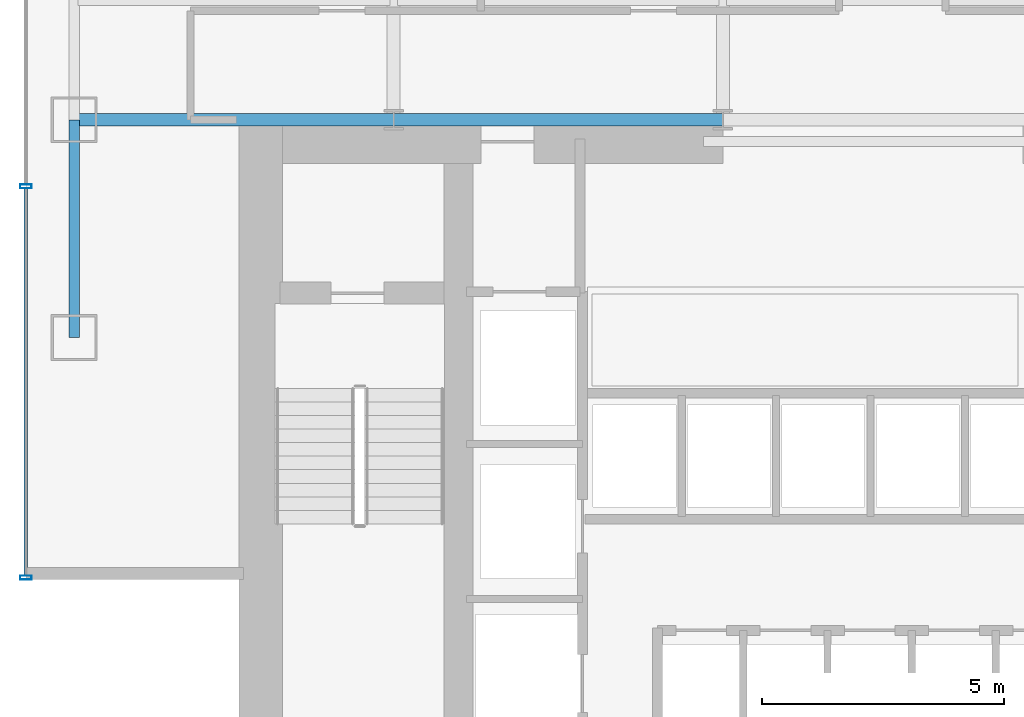
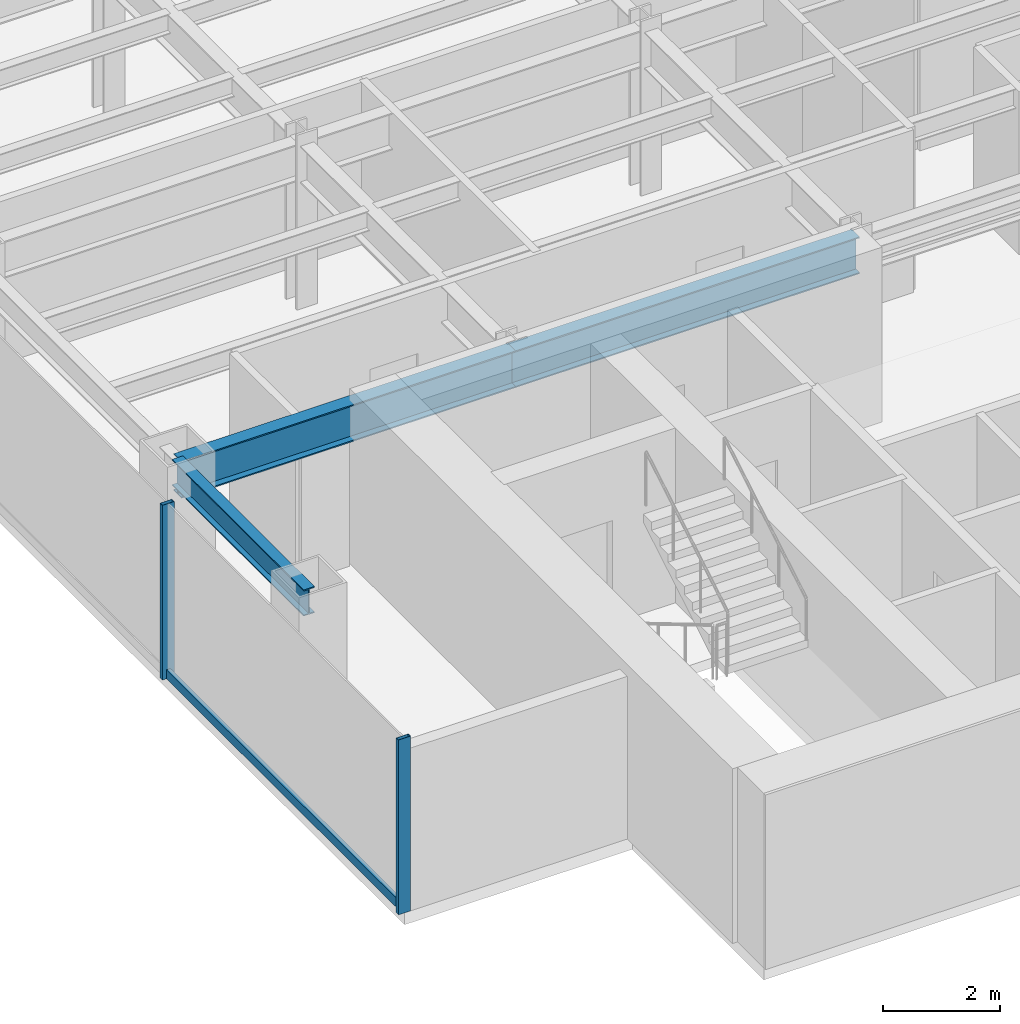
# One storey, part 2 of 22: 3 beams, 3 members, 1 element without a shape of its own.
"""IFC4 building model written with IfcOpenShell, lengths in metres."""

import ifcopenshell
import ifcopenshell.guid

model = None  # the IFC model being written
_history = None  # IfcOwnerHistory: only IFC2X3 demands one
_inside = {}  # id of a spatial element -> (the spatial element, [elements in it])
_under = {}  # id of a project, library or spatial element -> (it, [spatial elements below it])
_declared = {}  # id of a project -> (the project, [libraries it declares])
_typed = {}  # id of a type object -> (the type object, [elements of that type])
_made_of = {}  # id of a material, layer set ... -> (it, [elements and type objects made of it])


def new_model(schema):
    """Start an empty IFC model of exactly this schema.

    Asked for "IFC4X3", IfcOpenShell would pick the latest addendum, in which some entities
    have other attributes; the version numbers below select the first issue.
    IFC2X3 requires an IfcOwnerHistory on every rooted entity: one is made here for all.
    """
    global model, _history
    if schema == "IFC4X3":
        model = ifcopenshell.file(schema_version=(4, 3, 0, 0))
    else:
        model = ifcopenshell.file(schema=schema)
    _inside.clear()
    _under.clear()
    _declared.clear()
    _typed.clear()
    _made_of.clear()
    _history = None
    if model.schema == "IFC2X3":
        org = make("IfcOrganization", Name="unknown")
        user = make(
            "IfcPersonAndOrganization",
            ThePerson=make("IfcPerson", FamilyName="unknown"),
            TheOrganization=org,
        )
        app = make(
            "IfcApplication",
            ApplicationDeveloper=org,
            Version="unknown",
            ApplicationFullName="unknown",
            ApplicationIdentifier="unknown",
        )
        _history = make(
            "IfcOwnerHistory",
            OwningUser=user,
            OwningApplication=app,
            ChangeAction="ADDED",
            CreationDate=0,
        )
    return model


def make(cls, **values):
    """One entity of the class cls with the attributes given. An attribute that is None is left unset."""
    return model.create_entity(
        cls, **{name: value for name, value in values.items() if value is not None}
    )


def rooted(cls, **values):
    """An entity with a GlobalId (a new one), such as an element, a storey or a relation."""
    return make(cls, GlobalId=ifcopenshell.guid.new(), OwnerHistory=_history, **values)


def si_unit(unit_type, name, prefix=None):
    """IfcSIUnit, for example si_unit("LENGTHUNIT", "METRE", prefix="MILLI")."""
    return make("IfcSIUnit", UnitType=unit_type, Prefix=prefix, Name=name)


def derived_unit(unit_type, elements):
    """IfcDerivedUnit: a product of units, each with its exponent."""
    return make(
        "IfcDerivedUnit",
        Elements=[
            make("IfcDerivedUnitElement", Unit=unit, Exponent=power)
            for unit, power in elements
        ],
        UnitType=unit_type,
    )


def assignment(units):
    """IfcUnitAssignment: the units of a project."""
    return None if units is None else make("IfcUnitAssignment", Units=units)


def point(xyz):
    """IfcCartesianPoint."""
    return None if xyz is None else make("IfcCartesianPoint", Coordinates=xyz)


def direction(xyz):
    """IfcDirection."""
    return None if xyz is None else make("IfcDirection", DirectionRatios=xyz)


def frame(location, z_axis=None, x_axis=None):
    """IfcAxis2Placement3D, a coordinate frame: its origin and axes. An axis left out is left unset."""
    return make(
        "IfcAxis2Placement3D",
        Location=point(location),
        Axis=direction(z_axis),
        RefDirection=direction(x_axis),
    )


def frame_2d(location, x_axis=None):
    """IfcAxis2Placement2D, a coordinate frame in the plane: its origin and x axis."""
    return make(
        "IfcAxis2Placement2D", Location=point(location), RefDirection=direction(x_axis)
    )


def origin():
    """The frame at (0, 0, 0) with its axes left unset."""
    return frame((0.0, 0.0, 0.0))


def origin_2d():
    """The frame at (0, 0) in the plane with its x axis left unset."""
    return frame_2d((0.0, 0.0))


def place(relative_to, where):
    """IfcLocalPlacement: puts the frame where relative to a parent placement (None: the world)."""
    return make(
        "IfcLocalPlacement", PlacementRelTo=relative_to, RelativePlacement=where
    )


def context(
    kind, dimensions, precision=None, world=None, true_north=None, identifier=None
):
    """IfcGeometricRepresentationContext, for example the 3D "Model" context."""
    return make(
        "IfcGeometricRepresentationContext",
        ContextIdentifier=identifier,
        ContextType=kind,
        CoordinateSpaceDimension=dimensions,
        Precision=precision,
        WorldCoordinateSystem=world,
        TrueNorth=true_north,
    )


def subcontext(parent, identifier, kind, view, scale=None):
    """IfcGeometricRepresentationSubContext, for example "Body" below "Model"."""
    return make(
        "IfcGeometricRepresentationSubContext",
        ContextIdentifier=identifier,
        ContextType=kind,
        ParentContext=parent,
        TargetScale=scale,
        TargetView=view,
    )


def project(units=None, contexts=None):
    """IfcProject with its units and contexts."""
    return rooted(
        "IfcProject",
        Name="project",
        RepresentationContexts=contexts,
        UnitsInContext=assignment(units),
    )


def spatial(cls, under=None, at=None, **own):
    """A site, building, storey or space (cls), placed at a placement, below another one or the project."""
    s = rooted(cls, ObjectPlacement=at, **own)
    if under is not None:
        _under.setdefault(under.id(), (under, []))[1].append(s)
    return s


def profile(cls, at=None, kind="AREA", **sizes):
    """A parametric profile (cls). Its sizes go by their IFC names, for example OverallWidth=200.0."""
    return make(cls, ProfileType=kind, Position=at, **sizes)


def hollow_rectangle(**sizes):
    """IfcRectangleHollowProfileDef."""
    return profile("IfcRectangleHollowProfileDef", **sizes)


def i_section(**sizes):
    """IfcIShapeProfileDef."""
    return profile("IfcIShapeProfileDef", **sizes)


def extrude(swept, where, along, depth):
    """IfcExtrudedAreaSolid: the profile swept, set in the frame where, extruded along a direction by depth."""
    return make(
        "IfcExtrudedAreaSolid",
        SweptArea=swept,
        Position=where,
        ExtrudedDirection=direction(along),
        Depth=depth,
    )


def shape(context_of_items, identifier, shape_type, items):
    """IfcShapeRepresentation: the items that make up one representation, for example the "Body"."""
    return make(
        "IfcShapeRepresentation",
        ContextOfItems=context_of_items,
        RepresentationIdentifier=identifier,
        RepresentationType=shape_type,
        Items=items,
    )


def source(mapping_origin, context_of_items, identifier, shape_type, items):
    """IfcRepresentationMap: a shape defined once, which mapped items show again and again."""
    return make(
        "IfcRepresentationMap",
        MappingOrigin=mapping_origin,
        MappedRepresentation=shape(context_of_items, identifier, shape_type, items),
    )


def transform(
    local_origin,
    x_axis=None,
    y_axis=None,
    z_axis=None,
    scale=None,
    scale2=None,
    scale3=None,
    uniform=True,
):
    """IfcCartesianTransformationOperator3D, or its non-uniform kind. x_axis, y_axis, z_axis: its Axis1, 2, 3."""
    if uniform:
        return make(
            "IfcCartesianTransformationOperator3D",
            Axis1=direction(x_axis),
            Axis2=direction(y_axis),
            LocalOrigin=point(local_origin),
            Scale=scale,
            Axis3=direction(z_axis),
        )
    return make(
        "IfcCartesianTransformationOperator3DnonUniform",
        Axis1=direction(x_axis),
        Axis2=direction(y_axis),
        LocalOrigin=point(local_origin),
        Scale=scale,
        Axis3=direction(z_axis),
        Scale2=scale2,
        Scale3=scale3,
    )


def mapped(mapping_source, mapping_target):
    """IfcMappedItem: shows the shape of a source again, moved by a transform."""
    return make(
        "IfcMappedItem", MappingSource=mapping_source, MappingTarget=mapping_target
    )


def material(Name=None, Category=None):
    """IfcMaterial."""
    return make("IfcMaterial", Name=Name, Category=Category)


def material_profile(
    of_material, cross_section, Name=None, Category=None, Priority=None
):
    """IfcMaterialProfile: a cross section and its material."""
    return make(
        "IfcMaterialProfile",
        Name=Name,
        Material=of_material,
        Profile=cross_section,
        Priority=Priority,
        Category=Category,
    )


def profile_set(profiles, Name=None, composite=None):
    """IfcMaterialProfileSet."""
    return make(
        "IfcMaterialProfileSet",
        Name=Name,
        MaterialProfiles=profiles,
        CompositeProfile=composite,
    )


def made_of(thing, what):
    """Note that an element or type object is made of a material, layer set ...; save() writes the relation."""
    if what is not None:
        _made_of.setdefault(what.id(), (what, []))[1].append(thing)
    return thing


def type_object(cls, material=None, **own):
    """A type object (cls), such as IfcWallType, which elements share."""
    return made_of(rooted(cls, **own), material)


def element(
    cls,
    number,
    at=None,
    inside=None,
    cuts=None,
    type_object=None,
    material=None,
    context=None,
    identifier="Body",
    shape_type=None,
    held_by="IfcProductDefinitionShape",
    body=None,
    shapes=None,
    **own,
):
    """One element of the class cls, such as IfcWall. Its Tag is "e" and its number.

    at: its placement. inside: the storey or other place that contains it. cuts: it is an
    opening in that element (IfcRelVoidsElement). A single representation is given by context,
    identifier, shape_type and body (its items); several are given by shapes. held_by: the class
    of the entity that holds the representations. save() writes the other relations.
    """
    e = rooted(cls, Tag="e%d" % number, ObjectPlacement=at, **own)
    if body is not None:
        shapes = [shape(context, identifier, shape_type, body)]
    if shapes is not None:
        e.Representation = make(held_by, Representations=shapes)
    if inside is not None:
        _inside.setdefault(inside.id(), (inside, []))[1].append(e)
    if cuts is not None:
        rooted(
            "IfcRelVoidsElement", RelatingBuildingElement=cuts, RelatedOpeningElement=e
        )
    if type_object is not None:
        _typed.setdefault(type_object.id(), (type_object, []))[1].append(e)
    return made_of(e, material)


def aggregate(whole, parts):
    """IfcRelAggregates: a whole, such as a stair, and the parts it consists of."""
    return rooted("IfcRelAggregates", RelatingObject=whole, RelatedObjects=parts)


def save(model, path):
    """Write the relations noted so far, then the file.

    IfcRelAggregates (storeys below a building ...), IfcRelContainedInSpatialStructure (elements
    in a storey), IfcRelDefinesByType, IfcRelAssociatesMaterial and IfcRelDeclares: one each for
    every whole, place, type object, material and project.
    """
    for whole, parts in _under.values():
        aggregate(whole, parts)
    for where, things in _inside.values():
        rooted(
            "IfcRelContainedInSpatialStructure",
            RelatedElements=things,
            RelatingStructure=where,
        )
    for kind, things in _typed.values():
        rooted("IfcRelDefinesByType", RelatedObjects=things, RelatingType=kind)
    for what, things in _made_of.values():
        rooted("IfcRelAssociatesMaterial", RelatedObjects=things, RelatingMaterial=what)
    for by, libraries in _declared.values():
        rooted("IfcRelDeclares", RelatingContext=by, RelatedDefinitions=libraries)
    model.write(path)


model = new_model("IFC4")

# Units and contexts
model_context = context("Model", 3, precision=1e-05, world=origin(), true_north=direction((0.0, 1.0)))
body_context = subcontext(model_context, "Body", "Model", "MODEL_VIEW")
ifc_project = project(units=[si_unit("LENGTHUNIT", "METRE"), si_unit("AREAUNIT", "SQUARE_METRE"), si_unit("VOLUMEUNIT", "CUBIC_METRE"), si_unit("PLANEANGLEUNIT", "RADIAN"), si_unit("MASSUNIT", "GRAM", prefix="KILO"), derived_unit("THERMALTRANSMITTANCEUNIT", [(si_unit("POWERUNIT", "WATT"), 1), (si_unit("LENGTHUNIT", "METRE"), -2), (si_unit("THERMODYNAMICTEMPERATUREUNIT", "KELVIN"), -1)])], contexts=[model_context])

# Site, building, storey
site_placement = place(None, origin())
site = spatial("IfcSite", under=ifc_project, at=site_placement, CompositionType="ELEMENT")
building_placement = place(site_placement, origin())
building = spatial("IfcBuilding", under=site, at=building_placement, Name="Skarnbrae Concourse Arena and Tower", CompositionType="ELEMENT")
storey_placement = place(building_placement, frame((0.0, 0.0, 39.800048828125)))
storey = spatial("IfcBuildingStorey", under=building, at=storey_placement, Name="L08", CompositionType="ELEMENT", Elevation=39.800048828125)

# Beams
ifc_material_1 = material(Name="Steel CSA G40.21 350W", Category="steel")
ifc_material_profile_1 = material_profile(ifc_material_1, i_section(OverallWidth=0.26806640625, OverallDepth=0.77001953125, WebThickness=0.015625, FlangeThickness=0.025390625, at=origin_2d()), Name="W760X196")
ifc_profile_set_1 = profile_set([ifc_material_profile_1], Name="Steel CSA G40.21 350W")
beam_type_1 = type_object("IfcBeamType", Name="BM-GIRD-W760X196", PredefinedType="BEAM", material=ifc_profile_set_1)
shared_shape_1 = source(origin(), body_context, "Body", "SweptSolid", [
    extrude(i_section(OverallWidth=0.26806640625, OverallDepth=0.77001953125, WebThickness=0.015625, FlangeThickness=0.025390625, at=origin_2d()), origin(), (0.0, 0.0, 1.0), 6.60009765625),
])
beam_1_placement = place(storey_placement, frame((1.0, 14.0, 3.014892578125), z_axis=(1.0, 0.0, 0.0), x_axis=(0.0, 1.0, 0.0)))
element("IfcBeam", 1, at=beam_1_placement, inside=storey, type_object=beam_type_1, Name="L08 Primary E-W girder Y14.0-1", PredefinedType="BEAM", context=body_context, shape_type="MappedRepresentation", body=[
    mapped(shared_shape_1, transform((0.0, 0.0, 0.0))),
])
shared_shape_2 = source(origin(), body_context, "Body", "SweptSolid", [
    extrude(i_section(OverallWidth=0.26806640625, OverallDepth=0.77001953125, WebThickness=0.015625, FlangeThickness=0.025390625, at=origin_2d()), origin(), (0.0, 0.0, 1.0), 6.7998046875),
])
beam_2_placement = place(storey_placement, frame((7.60009765625, 14.0, 3.014892578125), z_axis=(1.0, 0.0, 0.0), x_axis=(0.0, 1.0, 0.0)))
element("IfcBeam", 2, at=beam_2_placement, inside=storey, type_object=beam_type_1, Name="L08 Primary E-W girder Y14.0-2", PredefinedType="BEAM", context=body_context, shape_type="MappedRepresentation", body=[
    mapped(shared_shape_2, transform((0.0, 0.0, 0.0))),
])
ifc_material_profile_2 = material_profile(ifc_material_1, i_section(OverallWidth=0.214111328125, OverallDepth=0.549072265625, WebThickness=0.0146484375, FlangeThickness=0.023681640625, at=origin_2d()), Name="W530X138")
ifc_profile_set_2 = profile_set([ifc_material_profile_2], Name="Steel CSA G40.21 350W")
beam_type_2 = type_object("IfcBeamType", Name="BM-SPAN-W530X138", PredefinedType="SPANDREL", material=ifc_profile_set_2)
shared_shape_3 = source(origin(), body_context, "Body", "SweptSolid", [
    extrude(i_section(OverallWidth=0.214111328125, OverallDepth=0.549072265625, WebThickness=0.0146484375, FlangeThickness=0.023681640625, at=origin_2d()), origin(), (0.0, 0.0, 1.0), 4.5),
])
beam_3_placement = place(storey_placement, frame((1.0, 9.5, 3.12548828125), z_axis=(0.0, 1.0, 0.0), x_axis=(-1.0, 0.0, 0.0)))
element("IfcBeam", 3, at=beam_3_placement, inside=storey, type_object=beam_type_2, Name="L08 Perimeter spandrel X1.0-1", PredefinedType="SPANDREL", context=body_context, shape_type="MappedRepresentation", body=[
    mapped(shared_shape_3, transform((0.0, 0.0, 0.0))),
])

# Curtain wall, members
ifc_material_2 = material(Name="Bronze anodised aluminium 6063-T6", Category="aluminium")
curtain_wall_type = type_object("IfcCurtainWallType", Name="CW-SYS-02-LOWZONE", PredefinedType="USERDEFINED", material=ifc_material_2)
curtain_wall_placement = place(storey_placement, origin())
curtain_wall = element("IfcCurtainWall", 4, at=curtain_wall_placement, inside=storey, type_object=curtain_wall_type, Name="L08 Unitised curtain wall CW-L08-E19", ObjectType="UNITISED CURTAIN WALL", PredefinedType="USERDEFINED")
ifc_material_profile_3 = material_profile(ifc_material_2, hollow_rectangle(XDim=0.080078125, YDim=0.239990234375, WallThickness=0.0048828125, at=origin_2d()), Name="ALU-MULL-80X240")
ifc_profile_set_3 = profile_set([ifc_material_profile_3], Name="Bronze anodised aluminium 6063-T6")
member_type_1 = type_object("IfcMemberType", Name="CWM-CW-02", PredefinedType="MULLION", material=ifc_profile_set_3)
shared_shape_4 = source(origin(), body_context, "Body", "SweptSolid", [
    extrude(hollow_rectangle(XDim=0.080078125, YDim=0.239990234375, WallThickness=0.0048828125, at=origin_2d()), origin(), (0.0, 0.0, 1.0), 3.64990234375),
])
member_1_placement = place(storey_placement, frame((0.0, 12.625, 0.0), z_axis=(0.0, 0.0, 1.0), x_axis=(0.0, -1.0, 0.0)))
member_1 = element("IfcMember", 5, at=member_1_placement, type_object=member_type_1, Name="CW-L08-E19 Mullion 4", PredefinedType="MULLION", context=body_context, shape_type="MappedRepresentation", body=[
    mapped(shared_shape_4, transform((0.0, 0.0, 0.0))),
])
member_2_placement = place(storey_placement, frame((0.0, 4.5400390625, 0.0), z_axis=(0.0, 0.0, 1.0), x_axis=(0.0, -1.0, 0.0)))
member_2 = element("IfcMember", 6, at=member_2_placement, type_object=member_type_1, Name="CW-L08-E19 Mullion 5", PredefinedType="MULLION", context=body_context, shape_type="MappedRepresentation", body=[
    mapped(shared_shape_4, transform((0.0, 0.0, 0.0))),
])
ifc_material_profile_4 = material_profile(ifc_material_2, hollow_rectangle(XDim=0.080078125, YDim=0.18994140625, WallThickness=0.0048828125, at=origin_2d()), Name="ALU-TRAN-80X190")
ifc_profile_set_4 = profile_set([ifc_material_profile_4], Name="Bronze anodised aluminium 6063-T6")
member_type_2 = type_object("IfcMemberType", Name="CWT-CW-02", PredefinedType="USERDEFINED", material=ifc_profile_set_4)
shared_shape_5 = source(origin(), body_context, "Body", "SweptSolid", [
    extrude(hollow_rectangle(XDim=0.080078125, YDim=0.18994140625, WallThickness=0.0048828125, at=origin_2d()), origin(), (0.0, 0.0, 1.0), 8.0048828125),
])
member_3_placement = place(storey_placement, frame((0.0, 12.5849609375, 0.094970703125), z_axis=(0.0, -1.0, 0.0), x_axis=(1.0, 0.0, 0.0)))
member_3 = element("IfcMember", 7, at=member_3_placement, type_object=member_type_2, Name="CW-L08-E19 Transom 4", ObjectType="TRANSOM", PredefinedType="USERDEFINED", context=body_context, shape_type="MappedRepresentation", body=[
    mapped(shared_shape_5, transform((0.0, 0.0, 0.0))),
])
aggregate(curtain_wall, [member_1, member_2, member_3])

save(model, "model.ifc")
